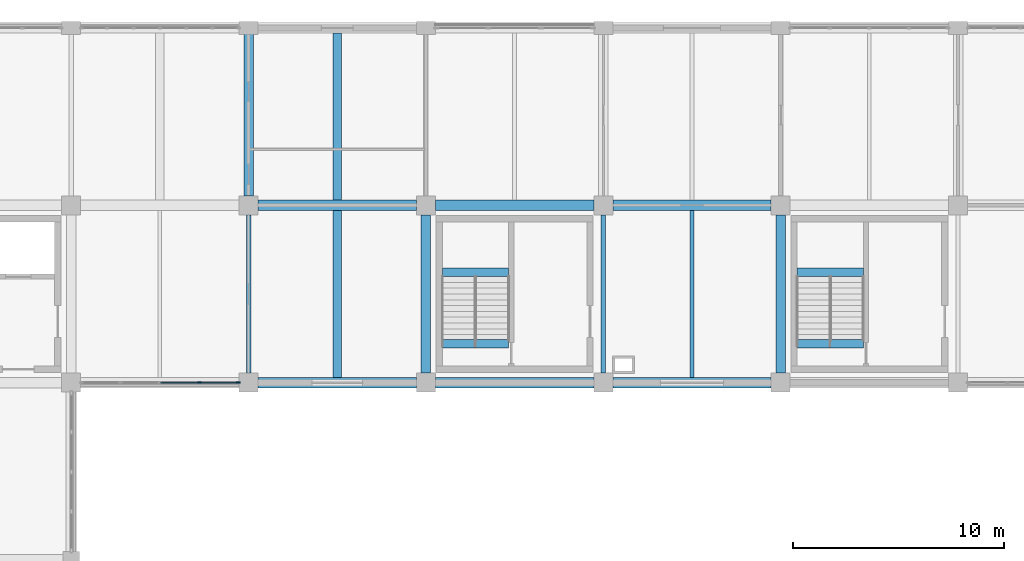
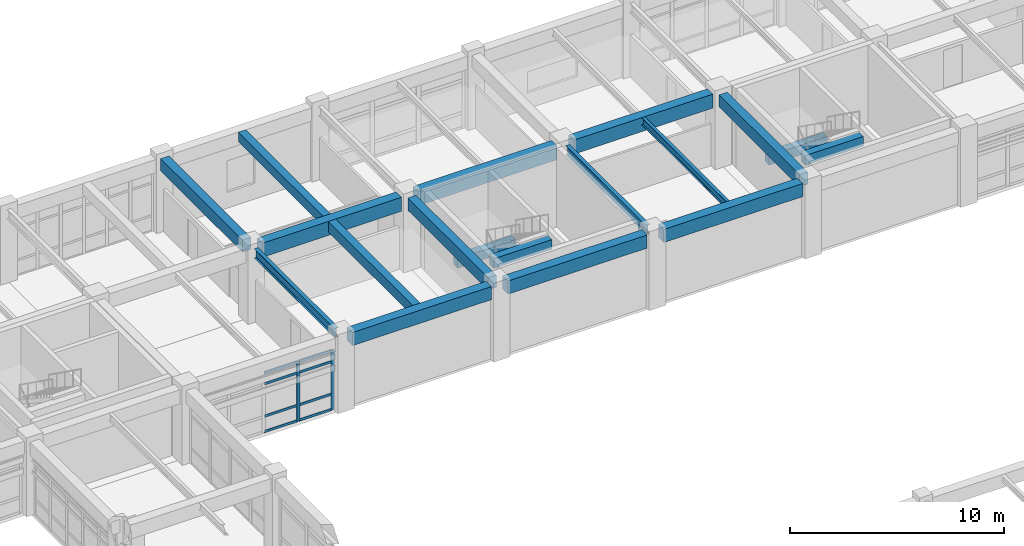
# One storey, part 38 of 99: 18 beams, 10 members, 1 element without a shape of its own.
"""IFC4 building model written with IfcOpenShell, lengths in metres."""

from ifc_helpers import new_model, si_unit, direction, frame, origin, origin_2d, place, context, subcontext, project, spatial, rectangle, i_section, extrude, material, layer, layer_set, material_profile, profile_set, type_object, element, aggregate, save


model = new_model("IFC4")

# Units and contexts
model_context = context("Model", 3, precision=1e-05, world=origin(), true_north=direction((0.0, 1.0)))
body_context = subcontext(model_context, "Body", "Model", "MODEL_VIEW")
ifc_project = project(units=[si_unit("LENGTHUNIT", "METRE"), si_unit("AREAUNIT", "SQUARE_METRE"), si_unit("VOLUMEUNIT", "CUBIC_METRE"), si_unit("PLANEANGLEUNIT", "RADIAN"), si_unit("MASSUNIT", "GRAM", prefix="KILO")], contexts=[model_context])

# Site, building, storey
site_placement = place(None, origin())
site = spatial("IfcSite", under=ifc_project, at=site_placement, CompositionType="ELEMENT")
building_placement = place(site_placement, origin())
building = spatial("IfcBuilding", under=site, at=building_placement, Name="Porcellanite Civic Hall", CompositionType="ELEMENT")
storey_placement = place(building_placement, frame((0.0, 0.0, 5.760009765625)))
storey = spatial("IfcBuildingStorey", under=building, at=storey_placement, Name="L01", CompositionType="ELEMENT", Elevation=5.760009765625)

# Beams
ifc_material_1 = material(Name="Concrete N50 (50 MPa)", Category="concrete")
ifc_material_profile_1 = material_profile(ifc_material_1, rectangle(XDim=0.39990234375, YDim=0.550048828125, at=origin_2d()), Name="RC-400x550")
ifc_profile_set_1 = profile_set([ifc_material_profile_1], Name="Concrete N50 (50 MPa)")
beam_type_1 = type_object("IfcBeamType", Name="BM-RC550", PredefinedType="JOIST", material=ifc_profile_set_1)
beam_1_placement = place(storey_placement, frame((71.39990234375, 109.449462890625, 3.925048828125), z_axis=(0.0, 1.0, 0.0), x_axis=(-1.0, 0.0, 0.0)))
element("IfcBeam", 1, at=beam_1_placement, inside=storey, type_object=beam_type_1, Name="Secondary joist L01 9-14", PredefinedType="JOIST", context=body_context, shape_type="SweptSolid", body=[
    extrude(rectangle(XDim=0.39990234375, YDim=0.550048828125, at=origin_2d()), origin(), (0.0, 0.0, 1.0), 7.901123046875),
])
for number, where, z_axis, x_axis, name in (
    (2, (76.380615234375, 106.02490234375, 1.885009765625), (1.0, 0.0, 0.0), (0.0, 1.0, 0.0), "Stair landing beam S9 L01"),
    (3, (76.380615234375, 102.64990234375, 3.925048828125), (1.0, 0.0, 0.0), (0.0, 1.0, 0.0), "Stair header beam S9 L01"),
):
    element("IfcBeam", number, at=place(storey_placement, frame(where, z_axis=z_axis, x_axis=x_axis)), inside=storey, type_object=beam_type_1, Name=name, PredefinedType="JOIST", context=body_context, shape_type="SweptSolid", body=[
        extrude(rectangle(XDim=0.39990234375, YDim=0.550048828125, at=origin_2d()), origin(), (0.0, 0.0, 1.0), 3.138916015625),
    ])
for number, where, z_axis, x_axis, name in (
    (4, (93.180419921875, 106.02490234375, 1.885009765625), (1.0, 0.0, 0.0), (0.0, 1.0, 0.0), "Stair landing beam S10 L01"),
    (5, (93.180419921875, 102.64990234375, 3.925048828125), (1.0, 0.0, 0.0), (0.0, 1.0, 0.0), "Stair header beam S10 L01"),
):
    element("IfcBeam", number, at=place(storey_placement, frame(where, z_axis=z_axis, x_axis=x_axis)), inside=storey, type_object=beam_type_1, Name=name, PredefinedType="JOIST", context=body_context, shape_type="SweptSolid", body=[
        extrude(rectangle(XDim=0.39990234375, YDim=0.550048828125, at=origin_2d()), origin(), (0.0, 0.0, 1.0), 3.13916015625),
    ])
ifc_material_2 = material(Name="Concrete N50 (50 MPa)", Category="concrete")
ifc_material_profile_2 = material_profile(ifc_material_2, rectangle(XDim=0.39990234375, YDim=0.60009765625, at=origin_2d()), Name="RC-400x600")
ifc_profile_set_2 = profile_set([ifc_material_profile_2], Name="Concrete N50 (50 MPa)")
beam_type_2 = type_object("IfcBeamType", Name="BM-RC600", PredefinedType="JOIST", material=ifc_profile_set_2)
beam_2_placement = place(storey_placement, frame((71.39990234375, 101.049560546875, 3.89990234375), z_axis=(0.0, 1.0, 0.0), x_axis=(-1.0, 0.0, 0.0)))
element("IfcBeam", 6, at=beam_2_placement, inside=storey, type_object=beam_type_2, Name="Secondary joist L01 9-13", PredefinedType="JOIST", context=body_context, shape_type="SweptSolid", body=[
    extrude(rectangle(XDim=0.39990234375, YDim=0.60009765625, at=origin_2d()), origin(), (0.0, 0.0, 1.0), 7.90087890625),
])
ifc_material_3 = material(Name="Concrete N50 (50 MPa)", Category="concrete")
ifc_material_profile_3 = material_profile(ifc_material_3, rectangle(XDim=0.449951171875, YDim=0.699951171875, at=origin_2d()), Name="RC-450x700")
ifc_profile_set_3 = profile_set([ifc_material_profile_3], Name="Concrete N50 (50 MPa)")
beam_type_3 = type_object("IfcBeamType", Name="BM-RC700", PredefinedType="BEAM", material=ifc_profile_set_3)
beam_3_placement = place(storey_placement, frame((67.199951171875, 109.6494140625, 3.85009765625), z_axis=(0.0, 1.0, 0.0), x_axis=(-1.0, 0.0, 0.0)))
element("IfcBeam", 7, at=beam_3_placement, inside=storey, type_object=beam_type_3, Name="Beam Y L01 9-14", PredefinedType="BEAM", context=body_context, shape_type="SweptSolid", body=[
    extrude(rectangle(XDim=0.449951171875, YDim=0.699951171875, at=origin_2d()), origin(), (0.0, 0.0, 1.0), 7.651123046875),
])
for number, where, z_axis, x_axis, name in (
    (8, (75.60009765625, 101.24951171875, 3.85009765625), (0.0, 1.0, 0.0), (-1.0, 0.0, 0.0), "Beam Y L01 10-13"),
    (9, (92.39990234375, 101.24951171875, 3.85009765625), (0.0, 1.0, 0.0), (-1.0, 0.0, 0.0), "Beam Y L01 12-13"),
):
    element("IfcBeam", number, at=place(storey_placement, frame(where, z_axis=z_axis, x_axis=x_axis)), inside=storey, type_object=beam_type_3, Name=name, PredefinedType="BEAM", context=body_context, shape_type="SweptSolid", body=[
        extrude(rectangle(XDim=0.449951171875, YDim=0.699951171875, at=origin_2d()), origin(), (0.0, 0.0, 1.0), 7.5009765625),
    ])
ifc_material_4 = material(Name="Concrete N50 (50 MPa)", Category="concrete")
ifc_material_profile_4 = material_profile(ifc_material_4, rectangle(XDim=0.5, YDim=0.75, at=origin_2d()), Name="RC-500x750")
ifc_profile_set_4 = profile_set([ifc_material_profile_4], Name="Concrete N50 (50 MPa)")
beam_type_4 = type_object("IfcBeamType", Name="BM-RC750", PredefinedType="SPANDREL", material=ifc_profile_set_4)
for number, where, z_axis, x_axis, name in (
    (10, (67.6494140625, 100.800048828125, 3.824951171875), (1.0, 0.0, 0.0), (0.0, 1.0, 0.0), "Beam X L01 9-13"),
    (11, (76.049560546875, 100.800048828125, 3.824951171875), (1.0, 0.0, 0.0), (0.0, 1.0, 0.0), "Beam X L01 10-13"),
    (12, (84.449462890625, 100.800048828125, 3.824951171875), (1.0, 0.0, 0.0), (0.0, 1.0, 0.0), "Beam X L01 11-13"),
):
    element("IfcBeam", number, at=place(storey_placement, frame(where, z_axis=z_axis, x_axis=x_axis)), inside=storey, type_object=beam_type_4, Name=name, PredefinedType="SPANDREL", context=body_context, shape_type="SweptSolid", body=[
        extrude(rectangle(XDim=0.5, YDim=0.75, at=origin_2d()), origin(), (0.0, 0.0, 1.0), 7.5009765625),
    ])
ifc_material_5 = material(Name="Concrete N50 (50 MPa)", Category="concrete")
ifc_material_profile_5 = material_profile(ifc_material_5, rectangle(XDim=0.5, YDim=0.800048828125, at=origin_2d()), Name="RC-500x800")
ifc_profile_set_5 = profile_set([ifc_material_profile_5], Name="Concrete N50 (50 MPa)")
beam_type_5 = type_object("IfcBeamType", Name="BM-RC800", PredefinedType="BEAM", material=ifc_profile_set_5)
for number, where, z_axis, x_axis, name in (
    (13, (67.6494140625, 109.199951171875, 3.800048828125), (1.0, 0.0, 0.0), (0.0, 1.0, 0.0), "Beam X L01 9-14"),
    (14, (76.049560546875, 109.199951171875, 3.800048828125), (1.0, 0.0, 0.0), (0.0, 1.0, 0.0), "Beam X L01 10-14"),
    (15, (84.449462890625, 109.199951171875, 3.800048828125), (1.0, 0.0, 0.0), (0.0, 1.0, 0.0), "Beam X L01 11-14"),
):
    element("IfcBeam", number, at=place(storey_placement, frame(where, z_axis=z_axis, x_axis=x_axis)), inside=storey, type_object=beam_type_5, Name=name, PredefinedType="BEAM", context=body_context, shape_type="SweptSolid", body=[
        extrude(rectangle(XDim=0.5, YDim=0.800048828125, at=origin_2d()), origin(), (0.0, 0.0, 1.0), 7.5009765625),
    ])

# Curtain wall, members
ifc_material_6 = material(Name="Anodised aluminium and solar laminated glass", Category="aluminium")
ifc_layer = layer(ifc_material_6, 0.179931640625)
ifc_layer_set = layer_set([ifc_layer], Name="Anodised aluminium and solar laminated glass")
curtain_wall_type = type_object("IfcCurtainWallType", Name="CW-SYS06", PredefinedType="NOTDEFINED", material=ifc_layer_set)
curtain_wall_placement = place(storey_placement, origin())
curtain_wall = element("IfcCurtainWall", 16, at=curtain_wall_placement, inside=storey, type_object=curtain_wall_type, Name="Curtain wall CW-086", PredefinedType="NOTDEFINED")
ifc_material_7 = material(Name="Anodised aluminium 6063-T6", Category="aluminium")
ifc_material_profile_6 = material_profile(ifc_material_7, rectangle(XDim=0.06494140625, YDim=0.179931640625, at=origin_2d()), Name="AL-65x180")
ifc_profile_set_6 = profile_set([ifc_material_profile_6], Name="Anodised aluminium 6063-T6")
member_type_1 = type_object("IfcMemberType", Name="CWM-06", PredefinedType="MULLION", material=ifc_profile_set_6)
member_1_placement = place(storey_placement, frame((66.716552734375, 100.800048828125, 0.0), z_axis=(0.0, 0.0, 1.0), x_axis=(0.0, -1.0, 0.0)))
member_1 = element("IfcMember", 17, at=member_1_placement, type_object=member_type_1, Name="CW-086 mullion 1", PredefinedType="MULLION", context=body_context, shape_type="SweptSolid", body=[
    extrude(rectangle(XDim=0.06494140625, YDim=0.179931640625, at=origin_2d()), origin(), (0.0, 0.0, 1.0), 3.39990234375),
])
member_2_placement = place(storey_placement, frame((64.87451171875, 100.800048828125, 0.0), z_axis=(0.0, 0.0, 1.0), x_axis=(0.0, -1.0, 0.0)))
member_2 = element("IfcMember", 18, at=member_2_placement, type_object=member_type_1, Name="CW-086 mullion 2", PredefinedType="MULLION", context=body_context, shape_type="SweptSolid", body=[
    extrude(rectangle(XDim=0.06494140625, YDim=0.179931640625, at=origin_2d()), origin(), (0.0, 0.0, 1.0), 3.39990234375),
])
ifc_material_8 = material(Name="Anodised aluminium 6063-T6", Category="aluminium")
ifc_material_profile_7 = material_profile(ifc_material_8, rectangle(XDim=0.050048828125, YDim=0.139892578125, at=origin_2d()), Name="AL-50x140")
ifc_profile_set_7 = profile_set([ifc_material_profile_7], Name="Anodised aluminium 6063-T6")
member_type_2 = type_object("IfcMemberType", Name="CWT-06", PredefinedType="USERDEFINED", material=ifc_profile_set_7)
member_3_placement = place(storey_placement, frame((66.68408203125, 100.800048828125, 0.02490234375), z_axis=(-1.0, 0.0, 0.0), x_axis=(0.0, -1.0, 0.0)))
member_3 = element("IfcMember", 19, at=member_3_placement, type_object=member_type_2, Name="CW-086 transom 1.1", ObjectType="TRANSOM", PredefinedType="USERDEFINED", context=body_context, shape_type="SweptSolid", body=[
    extrude(rectangle(XDim=0.050048828125, YDim=0.139892578125, at=origin_2d()), origin(), (0.0, 0.0, 1.0), 1.777099609375),
])
member_4_placement = place(storey_placement, frame((66.68408203125, 100.800048828125, 0.89990234375), z_axis=(-1.0, 0.0, 0.0), x_axis=(0.0, -1.0, 0.0)))
member_4 = element("IfcMember", 20, at=member_4_placement, type_object=member_type_2, Name="CW-086 transom 1.2", ObjectType="TRANSOM", PredefinedType="USERDEFINED", context=body_context, shape_type="SweptSolid", body=[
    extrude(rectangle(XDim=0.050048828125, YDim=0.139892578125, at=origin_2d()), origin(), (0.0, 0.0, 1.0), 1.777099609375),
])
member_5_placement = place(storey_placement, frame((66.68408203125, 100.800048828125, 2.75), z_axis=(-1.0, 0.0, 0.0), x_axis=(0.0, -1.0, 0.0)))
member_5 = element("IfcMember", 21, at=member_5_placement, type_object=member_type_2, Name="CW-086 transom 1.3", ObjectType="TRANSOM", PredefinedType="USERDEFINED", context=body_context, shape_type="SweptSolid", body=[
    extrude(rectangle(XDim=0.050048828125, YDim=0.139892578125, at=origin_2d()), origin(), (0.0, 0.0, 1.0), 1.777099609375),
])
member_6_placement = place(storey_placement, frame((66.68408203125, 100.800048828125, 3.375), z_axis=(-1.0, 0.0, 0.0), x_axis=(0.0, -1.0, 0.0)))
member_6 = element("IfcMember", 22, at=member_6_placement, type_object=member_type_2, Name="CW-086 transom 1.4", ObjectType="TRANSOM", PredefinedType="USERDEFINED", context=body_context, shape_type="SweptSolid", body=[
    extrude(rectangle(XDim=0.050048828125, YDim=0.139892578125, at=origin_2d()), origin(), (0.0, 0.0, 1.0), 1.777099609375),
])
member_7_placement = place(storey_placement, frame((64.842041015625, 100.800048828125, 0.02490234375), z_axis=(-1.0, 0.0, 0.0), x_axis=(0.0, -1.0, 0.0)))
member_7 = element("IfcMember", 23, at=member_7_placement, type_object=member_type_2, Name="CW-086 transom 2.1", ObjectType="TRANSOM", PredefinedType="USERDEFINED", context=body_context, shape_type="SweptSolid", body=[
    extrude(rectangle(XDim=0.050048828125, YDim=0.139892578125, at=origin_2d()), origin(), (0.0, 0.0, 1.0), 1.8095703125),
])
member_8_placement = place(storey_placement, frame((64.842041015625, 100.800048828125, 0.89990234375), z_axis=(-1.0, 0.0, 0.0), x_axis=(0.0, -1.0, 0.0)))
member_8 = element("IfcMember", 24, at=member_8_placement, type_object=member_type_2, Name="CW-086 transom 2.2", ObjectType="TRANSOM", PredefinedType="USERDEFINED", context=body_context, shape_type="SweptSolid", body=[
    extrude(rectangle(XDim=0.050048828125, YDim=0.139892578125, at=origin_2d()), origin(), (0.0, 0.0, 1.0), 1.8095703125),
])
member_9_placement = place(storey_placement, frame((64.842041015625, 100.800048828125, 2.75), z_axis=(-1.0, 0.0, 0.0), x_axis=(0.0, -1.0, 0.0)))
member_9 = element("IfcMember", 25, at=member_9_placement, type_object=member_type_2, Name="CW-086 transom 2.3", ObjectType="TRANSOM", PredefinedType="USERDEFINED", context=body_context, shape_type="SweptSolid", body=[
    extrude(rectangle(XDim=0.050048828125, YDim=0.139892578125, at=origin_2d()), origin(), (0.0, 0.0, 1.0), 1.8095703125),
])
member_10_placement = place(storey_placement, frame((64.842041015625, 100.800048828125, 3.375), z_axis=(-1.0, 0.0, 0.0), x_axis=(0.0, -1.0, 0.0)))
member_10 = element("IfcMember", 26, at=member_10_placement, type_object=member_type_2, Name="CW-086 transom 2.4", ObjectType="TRANSOM", PredefinedType="USERDEFINED", context=body_context, shape_type="SweptSolid", body=[
    extrude(rectangle(XDim=0.050048828125, YDim=0.139892578125, at=origin_2d()), origin(), (0.0, 0.0, 1.0), 1.8095703125),
])
aggregate(curtain_wall, [member_1, member_2, member_3, member_4, member_5, member_6, member_7, member_8, member_9, member_10])

# Beams
ifc_material_9 = material(Name="Steel Grade 350", Category="steel")
ifc_material_profile_8 = material_profile(ifc_material_9, i_section(OverallWidth=0.177978515625, OverallDepth=0.406005859375, WebThickness=0.0078125, FlangeThickness=0.0126953125, FilletRadius=0.011474609375, at=origin_2d()), Name="410UB59.7")
ifc_profile_set_8 = profile_set([ifc_material_profile_8], Name="Steel Grade 350")
beam_type_6 = type_object("IfcBeamType", Name="JST-410UB60", PredefinedType="JOIST", material=ifc_profile_set_8)
beam_4_placement = place(storey_placement, frame((88.199951171875, 101.049560546875, 3.9970703125), z_axis=(0.0, 1.0, 0.0), x_axis=(-1.0, 0.0, 0.0)))
element("IfcBeam", 27, at=beam_4_placement, inside=storey, type_object=beam_type_6, Name="Secondary joist L01 11-13", PredefinedType="JOIST", context=body_context, shape_type="SweptSolid", body=[
    extrude(i_section(OverallWidth=0.177978515625, OverallDepth=0.406005859375, WebThickness=0.0078125, FlangeThickness=0.0126953125, FilletRadius=0.011474609375, at=origin_2d()), origin(), (0.0, 0.0, 1.0), 7.90087890625),
])
ifc_material_10 = material(Name="Steel Grade 350", Category="steel")
ifc_material_profile_9 = material_profile(ifc_material_10, i_section(OverallWidth=0.208984375, OverallDepth=0.528076171875, WebThickness=0.009521484375, FlangeThickness=0.01318359375, FilletRadius=0.013916015625, at=origin_2d()), Name="530UB82.0")
ifc_profile_set_9 = profile_set([ifc_material_profile_9], Name="Steel Grade 350")
beam_type_7 = type_object("IfcBeamType", Name="RAF-530UB82", PredefinedType="BEAM", material=ifc_profile_set_9)
for number, where, z_axis, x_axis, name in (
    (28, (67.199951171875, 101.24951171875, 3.93603515625), (0.0, 1.0, 0.0), (-1.0, 0.0, 0.0), "Beam Y L01 9-13"),
    (29, (84.0, 101.24951171875, 3.93603515625), (0.0, 1.0, 0.0), (-1.0, 0.0, 0.0), "Beam Y L01 11-13"),
):
    element("IfcBeam", number, at=place(storey_placement, frame(where, z_axis=z_axis, x_axis=x_axis)), inside=storey, type_object=beam_type_7, Name=name, PredefinedType="BEAM", context=body_context, shape_type="SweptSolid", body=[
        extrude(i_section(OverallWidth=0.208984375, OverallDepth=0.528076171875, WebThickness=0.009521484375, FlangeThickness=0.01318359375, FilletRadius=0.013916015625, at=origin_2d()), origin(), (0.0, 0.0, 1.0), 7.5009765625),
    ])

save(model, "model.ifc")
